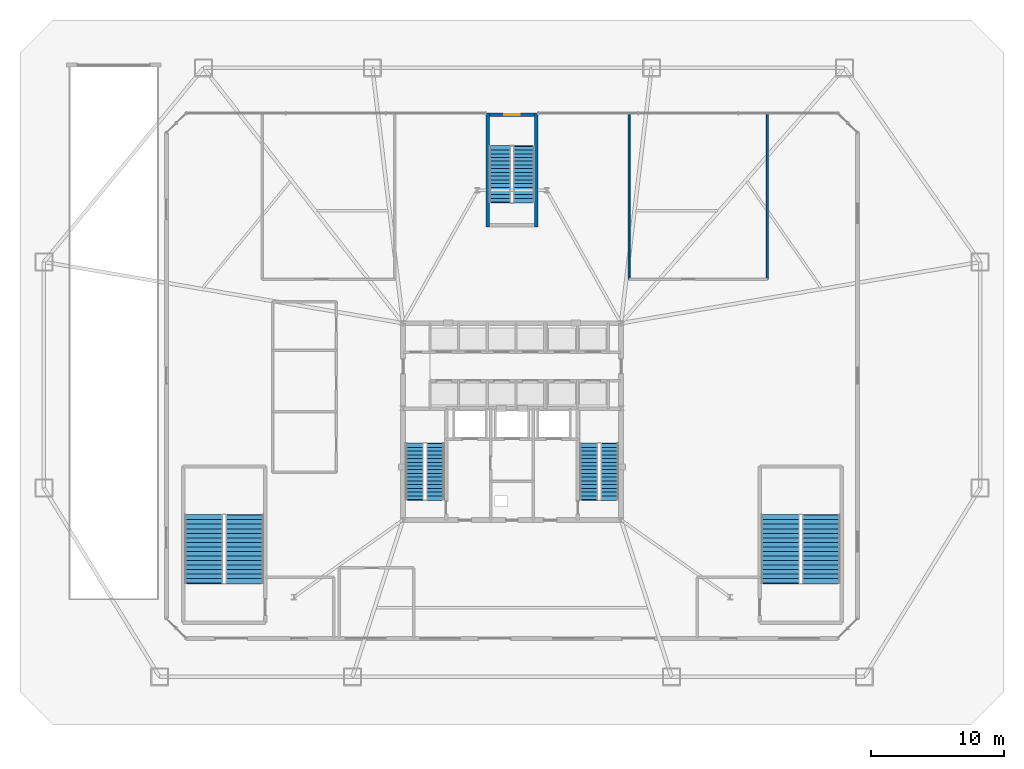
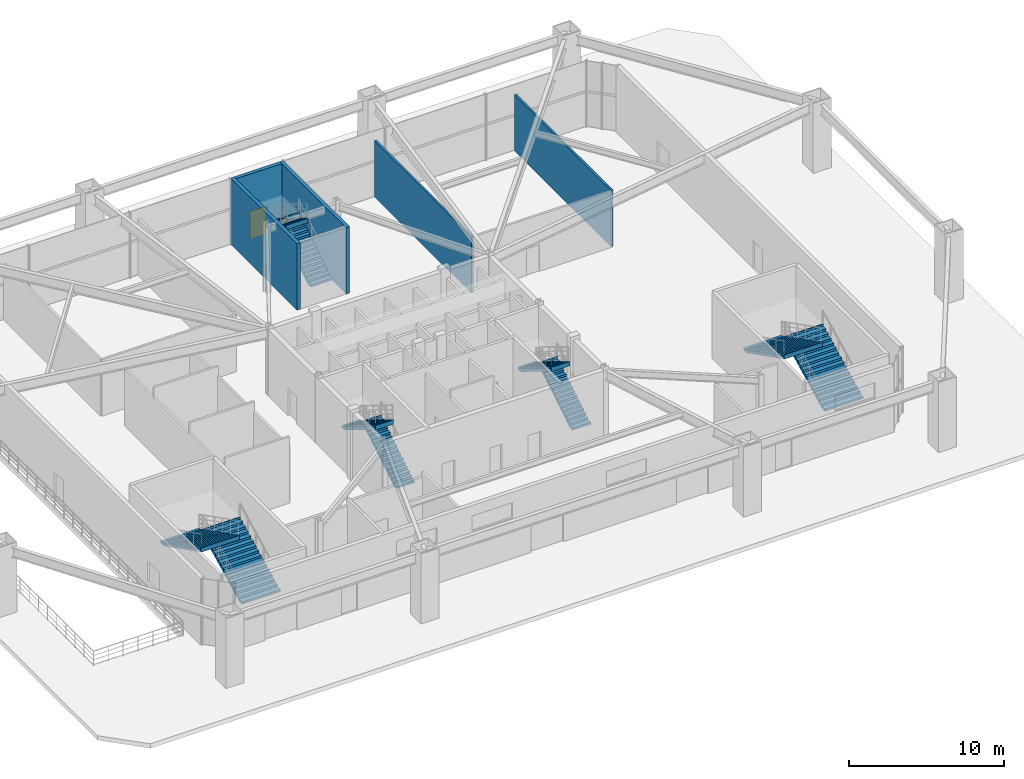
# One storey, part 17 of 20: 10 stair flights, 5 walls, 1 door, 1 opening, 5 elements without a shape of their own.
"""IFC4 building model written with IfcOpenShell, lengths in metres."""

from ifc_helpers import new_model, si_unit, direction, frame, frame_2d, origin, place, context, subcontext, project, spatial, polyline, rectangle, outline, extrude, material, layer, layer_set, type_object, element, fill, aggregate, save


model = new_model("IFC4")

# Units and contexts
model_context = context("Model", 3, precision=1e-05, world=origin(), true_north=direction((0.0, 1.0)))
body_context = subcontext(model_context, "Body", "Model", "MODEL_VIEW")
ifc_project = project(units=[si_unit("LENGTHUNIT", "METRE"), si_unit("AREAUNIT", "SQUARE_METRE"), si_unit("VOLUMEUNIT", "CUBIC_METRE"), si_unit("PLANEANGLEUNIT", "RADIAN"), si_unit("MASSUNIT", "GRAM", prefix="KILO")], contexts=[model_context])

# Site, building, storey
site_placement = place(None, origin())
site = spatial("IfcSite", under=ifc_project, at=site_placement, CompositionType="ELEMENT")
building_placement = place(site_placement, origin())
building = spatial("IfcBuilding", under=site, at=building_placement, Name="Varakhsha Concourse Tower", CompositionType="ELEMENT")
storey_placement = place(building_placement, origin())
storey = spatial("IfcBuildingStorey", under=building, at=storey_placement, Name="L01", CompositionType="ELEMENT", Elevation=0.0)

# Walls
ifc_material_1 = material(Name="Fire-Rated Type X Gypsum Partition Assembly", Category="gypsum")
ifc_layer_1 = layer(ifc_material_1, 0.14990234375, Name="WL-PART-150")
ifc_layer_set_1 = layer_set([ifc_layer_1], Name="Fire-Rated Type X Gypsum Partition Assembly")
wall_type_1 = type_object("IfcWallType", Name="WL-PART-150", PredefinedType="PARTITIONING", material=ifc_layer_set_1)
for number, where, z_axis, x_axis, name in (
    (1, (59.199951171875, 34.5, 0.0), (0.0, 0.0, 1.0), (0.0, 1.0, 0.0), "L01 Wall L01-RET2-E"),
    (2, (48.800048828125, 34.5, 0.0), (0.0, 0.0, 1.0), (0.0, 1.0, 0.0), "L01 Wall L01W-RET2-B"),
):
    element("IfcWall", number, at=place(storey_placement, frame(where, z_axis=z_axis, x_axis=x_axis)), inside=storey, type_object=wall_type_1, Name=name, PredefinedType="PARTITIONING", context=body_context, shape_type="SweptSolid", body=[
        extrude(rectangle(XDim=12.4599609375, YDim=0.14990234375, at=frame_2d((6.22998046875, 0.0))), origin(), (0.0, 0.0, 1.0), 4.430908203125),
    ])
ifc_material_2 = material(Name="Concrete fc 45 MPa", Category="concrete")
ifc_layer_2 = layer(ifc_material_2, 0.25, Name="WL-STAIR-250")
ifc_layer_set_2 = layer_set([ifc_layer_2], Name="Concrete fc 45 MPa")
wall_type_2 = type_object("IfcWallType", Name="WL-STAIR-250", PredefinedType="SHEAR", material=ifc_layer_set_2)
for number, where, z_axis, x_axis, name in (
    (3, (38.175048828125, 38.449951171875, 0.0), (0.0, 0.0, 1.0), (0.0, 1.0, 0.0), "L01 Wall SWALL-ST5-W-L01"),
    (4, (41.824951171875, 38.449951171875, 0.0), (0.0, 0.0, 1.0), (0.0, 1.0, 0.0), "L01 Wall SWALL-ST5-E-L01"),
):
    element("IfcWall", number, at=place(storey_placement, frame(where, z_axis=z_axis, x_axis=x_axis)), inside=storey, type_object=wall_type_2, Name=name, PredefinedType="SHEAR", context=body_context, shape_type="SweptSolid", body=[
        extrude(rectangle(XDim=8.550048828125, YDim=0.25, at=frame_2d((4.27490234375, 0.0))), origin(), (0.0, 0.0, 1.0), 5.219970703125),
    ])

# Wall, opening, door
wall_placement = place(storey_placement, frame((38.300048828125, 46.875, 0.0), z_axis=(0.0, 0.0, 1.0), x_axis=(1.0, 0.0, 0.0)))
wall = element("IfcWall", 5, at=wall_placement, inside=storey, type_object=wall_type_2, Name="L01 Wall SWALL-ST5-N-L01", PredefinedType="SHEAR", context=body_context, shape_type="SweptSolid", body=[
    extrude(rectangle(XDim=3.39990234375, YDim=0.25, at=frame_2d((1.699951171875, 0.0))), origin(), (0.0, 0.0, 1.0), 5.219970703125),
])
opening_placement = place(wall_placement, frame((1.10009765625, 0.0, 0.0)))
opening = element("IfcOpeningElement", 6, at=opening_placement, cuts=wall, Name="Opening DX-01", PredefinedType="OPENING", context=body_context, shape_type="SweptSolid", body=[
    extrude(rectangle(XDim=1.199951171875, YDim=2.199951171875, at=frame_2d((0.60009765625, 1.10009765625))), frame((0.0, 0.135009765625, 0.0), z_axis=(0.0, -1.0, 0.0), x_axis=(1.0, 0.0, 0.0)), (0.0, 0.0, 1.0), 0.27001953125),
])
ifc_material_3 = material(Name="Anodised Bronze Architectural Aluminium AA 6063-T6", Category="aluminium")
door_type = type_object("IfcDoorType", Name="DR-EXIT-1200", OperationType="NOTDEFINED", PredefinedType="DOOR", material=ifc_material_3)
door_placement = place(opening_placement, origin())
door = element("IfcDoor", 7, at=door_placement, inside=storey, type_object=door_type, Name="L01 Protected Exit Stair ST5 Exterior Door", OperationType="SINGLE_SWING_LEFT", OverallHeight=2.199951171875, OverallWidth=1.199951171875, PredefinedType="DOOR", context=body_context, shape_type="SweptSolid", body=[
    extrude(rectangle(XDim=1.199951171875, YDim=2.199951171875, at=frame_2d((0.60009765625, 1.10009765625))), frame((0.0, 0.02490234375, 0.0), z_axis=(0.0, -1.0, 0.0), x_axis=(1.0, 0.0, 0.0)), (0.0, 0.0, 1.0), 0.050048828125),
])
fill(opening, door)

# Stair, stair flights
stair_type_1 = type_object("IfcStairType", Name="ST-DOGLEG-1360", PredefinedType="HALF_TURN_STAIR", material=ifc_material_2)
stair_1_placement = place(storey_placement, origin())
stair_1 = element("IfcStair", 8, at=stair_1_placement, inside=storey, type_object=stair_type_1, Name="L01 Protected Exit Stair ST1", PredefinedType="HALF_TURN_STAIR")
stair_flight_type_1 = type_object("IfcStairFlightType", Name="STF-1360-R1719", PredefinedType="STRAIGHT", material=ifc_material_2)
stair_flight_1_placement = place(storey_placement, frame((34.239990234375, 17.93994140625, 0.0), z_axis=(0.0, 0.0, 1.0), x_axis=(0.0, 1.0, 0.0)))
stair_flight_1 = element("IfcStairFlight", 9, at=stair_flight_1_placement, type_object=stair_flight_type_1, Name="ST1 flight 1", NumberOfRisers=16, NumberOfTreads=15, PredefinedType="STRAIGHT", RiserHeight=0.171875, TreadLength=0.28, context=body_context, shape_type="SweptSolid", body=[
    extrude(outline(polyline([(-0.06005859375, 0.0), (-0.06005859375, 0.171875), (0.0, 0.171875), (0.280029296875, 0.171875), (0.280029296875, 0.34375), (0.56005859375, 0.34375), (0.56005859375, 0.515625), (0.840087890625, 0.515625), (0.840087890625, 0.6875), (1.1201171875, 0.6875), (1.1201171875, 0.859375), (1.39990234375, 0.859375), (1.39990234375, 1.03125), (1.679931640625, 1.03125), (1.679931640625, 1.203125), (1.9599609375, 1.203125), (1.9599609375, 1.375), (2.239990234375, 1.375), (2.239990234375, 1.546875), (2.52001953125, 1.546875), (2.52001953125, 1.71875), (2.800048828125, 1.71875), (2.800048828125, 1.890625), (3.080078125, 1.890625), (3.080078125, 2.0625), (3.360107421875, 2.0625), (3.360107421875, 2.234375), (3.639892578125, 2.234375), (3.639892578125, 2.40625), (3.919921875, 2.40625), (3.919921875, 2.578125), (4.199951171875, 2.578125), (4.199951171875, 2.75), (4.260009765625, 2.75), (4.260009765625, 2.40234375), (4.199951171875, 2.40234375), (0.28662109375, 0.0), (-0.06005859375, 0.0)])), frame((0.0, 0.68017578125, 0.0), z_axis=(0.0, -1.0, 0.0), x_axis=(1.0, 0.0, 0.0)), (0.0, 0.0, 1.0), 1.360107421875),
])
stair_flight_2_placement = place(storey_placement, frame((32.679931640625, 22.139892578125, 2.75), z_axis=(0.0, 0.0, 1.0), x_axis=(0.0, -1.0, 0.0)))
stair_flight_2 = element("IfcStairFlight", 10, at=stair_flight_2_placement, type_object=stair_flight_type_1, Name="ST1 flight 2", NumberOfRisers=16, NumberOfTreads=15, PredefinedType="STRAIGHT", RiserHeight=0.171875, TreadLength=0.28, context=body_context, shape_type="SweptSolid", body=[
    extrude(outline(polyline([(-0.06005859375, 0.0), (-0.06005859375, 0.171875), (0.0, 0.171875), (0.280029296875, 0.171875), (0.280029296875, 0.34375), (0.56005859375, 0.34375), (0.56005859375, 0.515625), (0.840087890625, 0.515625), (0.840087890625, 0.6875), (1.1201171875, 0.6875), (1.1201171875, 0.859375), (1.39990234375, 0.859375), (1.39990234375, 1.03125), (1.679931640625, 1.03125), (1.679931640625, 1.203125), (1.9599609375, 1.203125), (1.9599609375, 1.375), (2.239990234375, 1.375), (2.239990234375, 1.546875), (2.52001953125, 1.546875), (2.52001953125, 1.71875), (2.800048828125, 1.71875), (2.800048828125, 1.890625), (3.080078125, 1.890625), (3.080078125, 2.0625), (3.360107421875, 2.0625), (3.360107421875, 2.234375), (3.639892578125, 2.234375), (3.639892578125, 2.40625), (3.919921875, 2.40625), (3.919921875, 2.578125), (4.199951171875, 2.578125), (4.199951171875, 2.75), (4.260009765625, 2.75), (4.260009765625, 2.40234375), (4.199951171875, 2.40234375), (0.28662109375, 0.0), (-0.06005859375, 0.0)])), frame((0.0, 0.68017578125, 0.0), z_axis=(0.0, -1.0, 0.0), x_axis=(1.0, 0.0, 0.0)), (0.0, 0.0, 1.0), 1.360107421875),
])
aggregate(stair_1, [stair_flight_1, stair_flight_2])

stair_2_placement = place(storey_placement, origin())
stair_2 = element("IfcStair", 11, at=stair_2_placement, inside=storey, type_object=stair_type_1, Name="L01 Protected Exit Stair ST2", PredefinedType="HALF_TURN_STAIR")
stair_flight_3_placement = place(storey_placement, frame((47.340087890625, 17.93994140625, 0.0), z_axis=(0.0, 0.0, 1.0), x_axis=(0.0, 1.0, 0.0)))
stair_flight_3 = element("IfcStairFlight", 12, at=stair_flight_3_placement, type_object=stair_flight_type_1, Name="ST2 flight 1", NumberOfRisers=16, NumberOfTreads=15, PredefinedType="STRAIGHT", RiserHeight=0.171875, TreadLength=0.28, context=body_context, shape_type="SweptSolid", body=[
    extrude(outline(polyline([(-0.06005859375, 0.0), (-0.06005859375, 0.171875), (0.0, 0.171875), (0.280029296875, 0.171875), (0.280029296875, 0.34375), (0.56005859375, 0.34375), (0.56005859375, 0.515625), (0.840087890625, 0.515625), (0.840087890625, 0.6875), (1.1201171875, 0.6875), (1.1201171875, 0.859375), (1.39990234375, 0.859375), (1.39990234375, 1.03125), (1.679931640625, 1.03125), (1.679931640625, 1.203125), (1.9599609375, 1.203125), (1.9599609375, 1.375), (2.239990234375, 1.375), (2.239990234375, 1.546875), (2.52001953125, 1.546875), (2.52001953125, 1.71875), (2.800048828125, 1.71875), (2.800048828125, 1.890625), (3.080078125, 1.890625), (3.080078125, 2.0625), (3.360107421875, 2.0625), (3.360107421875, 2.234375), (3.639892578125, 2.234375), (3.639892578125, 2.40625), (3.919921875, 2.40625), (3.919921875, 2.578125), (4.199951171875, 2.578125), (4.199951171875, 2.75), (4.260009765625, 2.75), (4.260009765625, 2.40234375), (4.199951171875, 2.40234375), (0.28662109375, 0.0), (-0.06005859375, 0.0)])), frame((0.0, 0.68017578125, 0.0), z_axis=(0.0, -1.0, 0.0), x_axis=(1.0, 0.0, 0.0)), (0.0, 0.0, 1.0), 1.360107421875),
])
stair_flight_4_placement = place(storey_placement, frame((45.780029296875, 22.139892578125, 2.75), z_axis=(0.0, 0.0, 1.0), x_axis=(0.0, -1.0, 0.0)))
stair_flight_4 = element("IfcStairFlight", 13, at=stair_flight_4_placement, type_object=stair_flight_type_1, Name="ST2 flight 2", NumberOfRisers=16, NumberOfTreads=15, PredefinedType="STRAIGHT", RiserHeight=0.171875, TreadLength=0.28, context=body_context, shape_type="SweptSolid", body=[
    extrude(outline(polyline([(-0.06005859375, 0.0), (-0.06005859375, 0.171875), (0.0, 0.171875), (0.280029296875, 0.171875), (0.280029296875, 0.34375), (0.56005859375, 0.34375), (0.56005859375, 0.515625), (0.840087890625, 0.515625), (0.840087890625, 0.6875), (1.1201171875, 0.6875), (1.1201171875, 0.859375), (1.39990234375, 0.859375), (1.39990234375, 1.03125), (1.679931640625, 1.03125), (1.679931640625, 1.203125), (1.9599609375, 1.203125), (1.9599609375, 1.375), (2.239990234375, 1.375), (2.239990234375, 1.546875), (2.52001953125, 1.546875), (2.52001953125, 1.71875), (2.800048828125, 1.71875), (2.800048828125, 1.890625), (3.080078125, 1.890625), (3.080078125, 2.0625), (3.360107421875, 2.0625), (3.360107421875, 2.234375), (3.639892578125, 2.234375), (3.639892578125, 2.40625), (3.919921875, 2.40625), (3.919921875, 2.578125), (4.199951171875, 2.578125), (4.199951171875, 2.75), (4.260009765625, 2.75), (4.260009765625, 2.40234375), (4.199951171875, 2.40234375), (0.28662109375, 0.0), (-0.06005859375, 0.0)])), frame((0.0, 0.68017578125, 0.0), z_axis=(0.0, -1.0, 0.0), x_axis=(1.0, 0.0, 0.0)), (0.0, 0.0, 1.0), 1.360107421875),
])
aggregate(stair_2, [stair_flight_3, stair_flight_4])

stair_type_2 = type_object("IfcStairType", Name="ST-DOGLEG-1600", PredefinedType="HALF_TURN_STAIR", material=ifc_material_2)
stair_3_placement = place(storey_placement, origin())
stair_3 = element("IfcStair", 14, at=stair_3_placement, inside=storey, type_object=stair_type_2, Name="L01 Protected Exit Stair ST5", PredefinedType="HALF_TURN_STAIR")
stair_flight_type_2 = type_object("IfcStairFlightType", Name="STF-1600-R1719", PredefinedType="STRAIGHT", material=ifc_material_2)
stair_flight_5_placement = place(storey_placement, frame((40.89990234375, 40.300048828125, 0.0), z_axis=(0.0, 0.0, 1.0), x_axis=(0.0, 1.0, 0.0)))
stair_flight_5 = element("IfcStairFlight", 15, at=stair_flight_5_placement, type_object=stair_flight_type_2, Name="ST5 flight 1", NumberOfRisers=16, NumberOfTreads=15, PredefinedType="STRAIGHT", RiserHeight=0.171875, TreadLength=0.28, context=body_context, shape_type="SweptSolid", body=[
    extrude(outline(polyline([(-0.06005859375, 0.0), (-0.06005859375, 0.171875), (0.0, 0.171875), (0.280029296875, 0.171875), (0.280029296875, 0.34375), (0.56005859375, 0.34375), (0.56005859375, 0.515625), (0.840087890625, 0.515625), (0.840087890625, 0.6875), (1.1201171875, 0.6875), (1.1201171875, 0.859375), (1.39990234375, 0.859375), (1.39990234375, 1.03125), (1.679931640625, 1.03125), (1.679931640625, 1.203125), (1.9599609375, 1.203125), (1.9599609375, 1.375), (2.239990234375, 1.375), (2.239990234375, 1.546875), (2.52001953125, 1.546875), (2.52001953125, 1.71875), (2.800048828125, 1.71875), (2.800048828125, 1.890625), (3.080078125, 1.890625), (3.080078125, 2.0625), (3.360107421875, 2.0625), (3.360107421875, 2.234375), (3.639892578125, 2.234375), (3.639892578125, 2.40625), (3.919921875, 2.40625), (3.919921875, 2.578125), (4.199951171875, 2.578125), (4.199951171875, 2.75), (4.260009765625, 2.75), (4.260009765625, 2.40234375), (4.199951171875, 2.40234375), (0.28662109375, 0.0), (-0.06005859375, 0.0)])), frame((0.0, 0.800048828125, 0.0), z_axis=(0.0, -1.0, 0.0), x_axis=(1.0, 0.0, 0.0)), (0.0, 0.0, 1.0), 1.60009765625),
])
stair_flight_6_placement = place(storey_placement, frame((39.10009765625, 44.5, 2.75), z_axis=(0.0, 0.0, 1.0), x_axis=(0.0, -1.0, 0.0)))
stair_flight_6 = element("IfcStairFlight", 16, at=stair_flight_6_placement, type_object=stair_flight_type_2, Name="ST5 flight 2", NumberOfRisers=16, NumberOfTreads=15, PredefinedType="STRAIGHT", RiserHeight=0.171875, TreadLength=0.28, context=body_context, shape_type="SweptSolid", body=[
    extrude(outline(polyline([(-0.06005859375, 0.0), (-0.06005859375, 0.171875), (0.0, 0.171875), (0.280029296875, 0.171875), (0.280029296875, 0.34375), (0.56005859375, 0.34375), (0.56005859375, 0.515625), (0.840087890625, 0.515625), (0.840087890625, 0.6875), (1.1201171875, 0.6875), (1.1201171875, 0.859375), (1.39990234375, 0.859375), (1.39990234375, 1.03125), (1.679931640625, 1.03125), (1.679931640625, 1.203125), (1.9599609375, 1.203125), (1.9599609375, 1.375), (2.239990234375, 1.375), (2.239990234375, 1.546875), (2.52001953125, 1.546875), (2.52001953125, 1.71875), (2.800048828125, 1.71875), (2.800048828125, 1.890625), (3.080078125, 1.890625), (3.080078125, 2.0625), (3.360107421875, 2.0625), (3.360107421875, 2.234375), (3.639892578125, 2.234375), (3.639892578125, 2.40625), (3.919921875, 2.40625), (3.919921875, 2.578125), (4.199951171875, 2.578125), (4.199951171875, 2.75), (4.260009765625, 2.75), (4.260009765625, 2.40234375), (4.199951171875, 2.40234375), (0.28662109375, 0.0), (-0.06005859375, 0.0)])), frame((0.0, 0.800048828125, 0.0), z_axis=(0.0, -1.0, 0.0), x_axis=(1.0, 0.0, 0.0)), (0.0, 0.0, 1.0), 1.60009765625),
])
aggregate(stair_3, [stair_flight_5, stair_flight_6])

stair_type_3 = type_object("IfcStairType", Name="ST-DOGLEG-2860", PredefinedType="HALF_TURN_STAIR", material=ifc_material_2)
stair_4_placement = place(storey_placement, origin())
stair_4 = element("IfcStair", 17, at=stair_4_placement, inside=storey, type_object=stair_type_3, Name="L01 Protected Exit Stair ST3", PredefinedType="HALF_TURN_STAIR")
stair_flight_type_3 = type_object("IfcStairFlightType", Name="STF-2860-R1719", PredefinedType="STRAIGHT", material=ifc_material_2)
stair_flight_7_placement = place(storey_placement, frame((19.889892578125, 11.659912109375, 0.0), z_axis=(0.0, 0.0, 1.0), x_axis=(0.0, 1.0, 0.0)))
stair_flight_7 = element("IfcStairFlight", 18, at=stair_flight_7_placement, type_object=stair_flight_type_3, Name="ST3 flight 1", NumberOfRisers=16, NumberOfTreads=15, PredefinedType="STRAIGHT", RiserHeight=0.171875, TreadLength=0.34, context=body_context, shape_type="SweptSolid", body=[
    extrude(outline(polyline([(-0.06005859375, 0.0), (-0.06005859375, 0.171875), (0.0, 0.171875), (0.340087890625, 0.171875), (0.340087890625, 0.34375), (0.679931640625, 0.34375), (0.679931640625, 0.515625), (1.02001953125, 0.515625), (1.02001953125, 0.6875), (1.360107421875, 0.6875), (1.360107421875, 0.859375), (1.699951171875, 0.859375), (1.699951171875, 1.03125), (2.0400390625, 1.03125), (2.0400390625, 1.203125), (2.3798828125, 1.203125), (2.3798828125, 1.375), (2.719970703125, 1.375), (2.719970703125, 1.546875), (3.06005859375, 1.546875), (3.06005859375, 1.71875), (3.39990234375, 1.71875), (3.39990234375, 1.890625), (3.739990234375, 1.890625), (3.739990234375, 2.0625), (4.080078125, 2.0625), (4.080078125, 2.234375), (4.419921875, 2.234375), (4.419921875, 2.40625), (4.760009765625, 2.40625), (4.760009765625, 2.578125), (5.10009765625, 2.578125), (5.10009765625, 2.75), (5.159912109375, 2.75), (5.159912109375, 2.41015625), (5.10009765625, 2.41015625), (0.332275390625, 0.0), (-0.06005859375, 0.0)])), frame((0.0, 1.43017578125, 0.0), z_axis=(0.0, -1.0, 0.0), x_axis=(1.0, 0.0, 0.0)), (0.0, 0.0, 1.0), 2.860107421875),
])
stair_flight_8_placement = place(storey_placement, frame((16.830078125, 16.760009765625, 2.75), z_axis=(0.0, 0.0, 1.0), x_axis=(0.0, -1.0, 0.0)))
stair_flight_8 = element("IfcStairFlight", 19, at=stair_flight_8_placement, type_object=stair_flight_type_3, Name="ST3 flight 2", NumberOfRisers=16, NumberOfTreads=15, PredefinedType="STRAIGHT", RiserHeight=0.171875, TreadLength=0.34, context=body_context, shape_type="SweptSolid", body=[
    extrude(outline(polyline([(-0.06005859375, 0.0), (-0.06005859375, 0.171875), (0.0, 0.171875), (0.340087890625, 0.171875), (0.340087890625, 0.34375), (0.679931640625, 0.34375), (0.679931640625, 0.515625), (1.02001953125, 0.515625), (1.02001953125, 0.6875), (1.360107421875, 0.6875), (1.360107421875, 0.859375), (1.699951171875, 0.859375), (1.699951171875, 1.03125), (2.0400390625, 1.03125), (2.0400390625, 1.203125), (2.3798828125, 1.203125), (2.3798828125, 1.375), (2.719970703125, 1.375), (2.719970703125, 1.546875), (3.06005859375, 1.546875), (3.06005859375, 1.71875), (3.39990234375, 1.71875), (3.39990234375, 1.890625), (3.739990234375, 1.890625), (3.739990234375, 2.0625), (4.080078125, 2.0625), (4.080078125, 2.234375), (4.419921875, 2.234375), (4.419921875, 2.40625), (4.760009765625, 2.40625), (4.760009765625, 2.578125), (5.10009765625, 2.578125), (5.10009765625, 2.75), (5.159912109375, 2.75), (5.159912109375, 2.41015625), (5.10009765625, 2.41015625), (0.332275390625, 0.0), (-0.06005859375, 0.0)])), frame((0.0, 1.43017578125, 0.0), z_axis=(0.0, -1.0, 0.0), x_axis=(1.0, 0.0, 0.0)), (0.0, 0.0, 1.0), 2.860107421875),
])
aggregate(stair_4, [stair_flight_7, stair_flight_8])

stair_5_placement = place(storey_placement, origin())
stair_5 = element("IfcStair", 20, at=stair_5_placement, inside=storey, type_object=stair_type_3, Name="L01 Protected Exit Stair ST4", PredefinedType="HALF_TURN_STAIR")
stair_flight_9_placement = place(storey_placement, frame((63.25, 11.659912109375, 0.0), z_axis=(0.0, 0.0, 1.0), x_axis=(0.0, 1.0, 0.0)))
stair_flight_9 = element("IfcStairFlight", 21, at=stair_flight_9_placement, type_object=stair_flight_type_3, Name="ST4 flight 1", NumberOfRisers=16, NumberOfTreads=15, PredefinedType="STRAIGHT", RiserHeight=0.171875, TreadLength=0.34, context=body_context, shape_type="SweptSolid", body=[
    extrude(outline(polyline([(-0.06005859375, 0.0), (-0.06005859375, 0.171875), (0.0, 0.171875), (0.340087890625, 0.171875), (0.340087890625, 0.34375), (0.679931640625, 0.34375), (0.679931640625, 0.515625), (1.02001953125, 0.515625), (1.02001953125, 0.6875), (1.360107421875, 0.6875), (1.360107421875, 0.859375), (1.699951171875, 0.859375), (1.699951171875, 1.03125), (2.0400390625, 1.03125), (2.0400390625, 1.203125), (2.3798828125, 1.203125), (2.3798828125, 1.375), (2.719970703125, 1.375), (2.719970703125, 1.546875), (3.06005859375, 1.546875), (3.06005859375, 1.71875), (3.39990234375, 1.71875), (3.39990234375, 1.890625), (3.739990234375, 1.890625), (3.739990234375, 2.0625), (4.080078125, 2.0625), (4.080078125, 2.234375), (4.419921875, 2.234375), (4.419921875, 2.40625), (4.760009765625, 2.40625), (4.760009765625, 2.578125), (5.10009765625, 2.578125), (5.10009765625, 2.75), (5.159912109375, 2.75), (5.159912109375, 2.41015625), (5.10009765625, 2.41015625), (0.332275390625, 0.0), (-0.06005859375, 0.0)])), frame((0.0, 1.43017578125, 0.0), z_axis=(0.0, -1.0, 0.0), x_axis=(1.0, 0.0, 0.0)), (0.0, 0.0, 1.0), 2.860107421875),
])
stair_flight_10_placement = place(storey_placement, frame((60.18994140625, 16.760009765625, 2.75), z_axis=(0.0, 0.0, 1.0), x_axis=(0.0, -1.0, 0.0)))
stair_flight_10 = element("IfcStairFlight", 22, at=stair_flight_10_placement, type_object=stair_flight_type_3, Name="ST4 flight 2", NumberOfRisers=16, NumberOfTreads=15, PredefinedType="STRAIGHT", RiserHeight=0.171875, TreadLength=0.34, context=body_context, shape_type="SweptSolid", body=[
    extrude(outline(polyline([(-0.06005859375, 0.0), (-0.06005859375, 0.171875), (0.0, 0.171875), (0.340087890625, 0.171875), (0.340087890625, 0.34375), (0.679931640625, 0.34375), (0.679931640625, 0.515625), (1.02001953125, 0.515625), (1.02001953125, 0.6875), (1.360107421875, 0.6875), (1.360107421875, 0.859375), (1.699951171875, 0.859375), (1.699951171875, 1.03125), (2.0400390625, 1.03125), (2.0400390625, 1.203125), (2.3798828125, 1.203125), (2.3798828125, 1.375), (2.719970703125, 1.375), (2.719970703125, 1.546875), (3.06005859375, 1.546875), (3.06005859375, 1.71875), (3.39990234375, 1.71875), (3.39990234375, 1.890625), (3.739990234375, 1.890625), (3.739990234375, 2.0625), (4.080078125, 2.0625), (4.080078125, 2.234375), (4.419921875, 2.234375), (4.419921875, 2.40625), (4.760009765625, 2.40625), (4.760009765625, 2.578125), (5.10009765625, 2.578125), (5.10009765625, 2.75), (5.159912109375, 2.75), (5.159912109375, 2.41015625), (5.10009765625, 2.41015625), (0.332275390625, 0.0), (-0.06005859375, 0.0)])), frame((0.0, 1.43017578125, 0.0), z_axis=(0.0, -1.0, 0.0), x_axis=(1.0, 0.0, 0.0)), (0.0, 0.0, 1.0), 2.860107421875),
])
aggregate(stair_5, [stair_flight_9, stair_flight_10])

save(model, "model.ifc")
